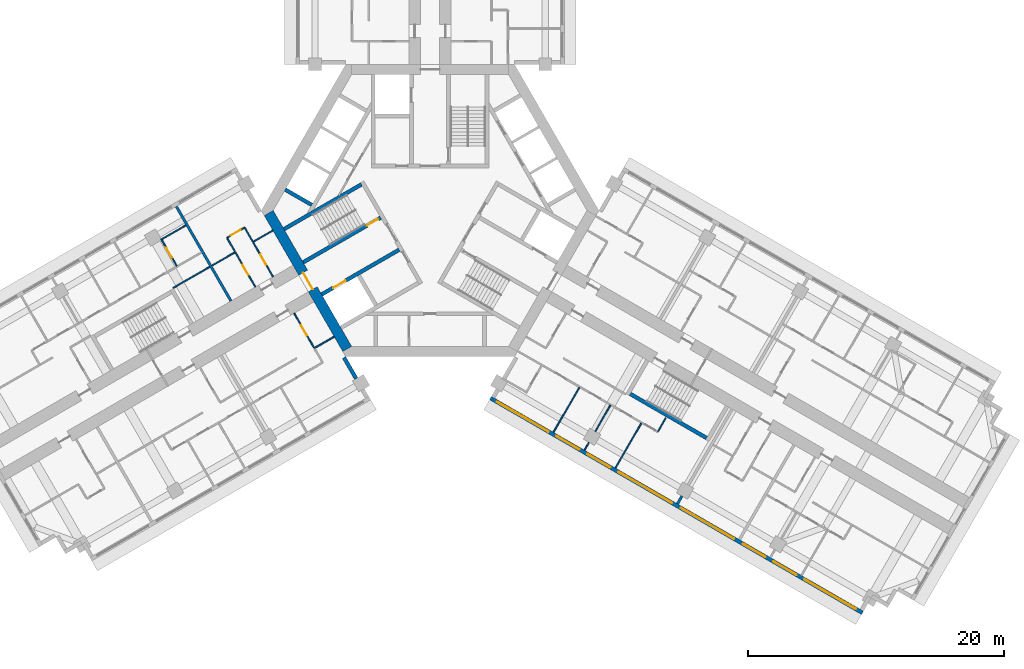
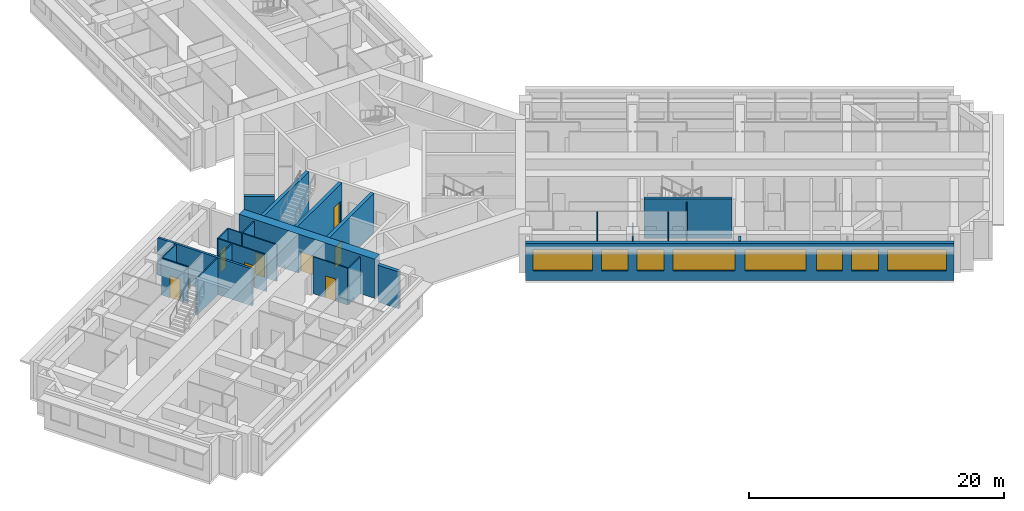
# One storey, part 5 of 14: 27 walls, 8 doors, 8 windows, 16 openings.
"""IFC4 building model written with IfcOpenShell, lengths in metres."""

from ifc_helpers import new_model, si_unit, direction, frame, frame_2d, origin, place, context, subcontext, project, spatial, rectangle, extrude, material, layer, layer_set, type_object, element, fill, save


model = new_model("IFC4")

# Units and contexts
model_context = context("Model", 3, precision=1e-05, world=origin(), true_north=direction((0.0, 1.0)))
body_context = subcontext(model_context, "Body", "Model", "MODEL_VIEW")
ifc_project = project(units=[si_unit("LENGTHUNIT", "METRE"), si_unit("AREAUNIT", "SQUARE_METRE"), si_unit("VOLUMEUNIT", "CUBIC_METRE"), si_unit("PLANEANGLEUNIT", "RADIAN"), si_unit("MASSUNIT", "GRAM", prefix="KILO")], contexts=[model_context])

# Site, building, storey
site_placement = place(None, origin())
site = spatial("IfcSite", under=ifc_project, at=site_placement, CompositionType="ELEMENT")
building_placement = place(site_placement, origin())
building = spatial("IfcBuilding", under=site, at=building_placement, Name="Impinga Residences", CompositionType="ELEMENT")
storey_placement = place(building_placement, frame((0.0, 0.0, 154.75)))
storey = spatial("IfcBuildingStorey", under=building, at=storey_placement, Name="L38", CompositionType="ELEMENT", Elevation=154.75)

# Wall, openings, windows
ifc_material_1 = material(Name="Terracotta rainscreen on blockwork", Category="masonry")
ifc_layer_1 = layer(ifc_material_1, 0.300048828125)
ifc_layer_set_1 = layer_set([ifc_layer_1], Name="EW1 external wall, terracotta rainscreen on blockwork 300")
wall_type_1 = type_object("IfcWallType", Name="EW1 external wall, terracotta rainscreen on blockwork 300", PredefinedType="SOLIDWALL", material=ifc_layer_set_1)
wall_1_placement = place(storey_placement, frame((33.823486328125, -31.479248046875, 0.0), z_axis=(0.0, 0.0, 1.0), x_axis=(-0.866024291668, 0.500001926238, 0.0)))
wall_1 = element("IfcWall", 1, at=wall_1_placement, inside=storey, type_object=wall_type_1, Name="External wall EW1 L38", PredefinedType="SOLIDWALL", context=body_context, shape_type="SweptSolid", body=[
    extrude(rectangle(XDim=33.599853515625, YDim=0.300048828125, at=frame_2d((16.7998046875, 0.0))), origin(), (0.0, 0.0, 1.0), 3.530029296875),
])
opening_1_placement = place(wall_1_placement, frame((0.60009765625, 0.0, 0.89990234375)))
opening_1 = element("IfcOpeningElement", 2, at=opening_1_placement, cuts=wall_1, Name="Opening W10", PredefinedType="OPENING", context=body_context, shape_type="SweptSolid", body=[
    extrude(rectangle(XDim=4.64990234375, YDim=2.050048828125, at=frame_2d((2.324951171875, 1.02490234375))), frame((0.0, 0.159912109375, 0.0), z_axis=(0.0, -1.0, 0.0), x_axis=(1.0, 0.0, 0.0)), (0.0, 0.0, 1.0), 0.320068359375),
])
opening_2_placement = place(wall_1_placement, frame((5.949951171875, 0.0, 0.89990234375)))
opening_2 = element("IfcOpeningElement", 3, at=opening_2_placement, cuts=wall_1, Name="Opening W9", PredefinedType="OPENING", context=body_context, shape_type="SweptSolid", body=[
    extrude(rectangle(XDim=2.10009765625, YDim=2.050048828125, at=frame_2d((1.050048828125, 1.02490234375))), frame((0.0, 0.159912109375, 0.0), z_axis=(0.0, -1.0, 0.0), x_axis=(1.0, 0.0, 0.0)), (0.0, 0.0, 1.0), 0.320068359375),
])
opening_3_placement = place(wall_1_placement, frame((8.75, 0.0, 0.89990234375)))
opening_3 = element("IfcOpeningElement", 4, at=opening_3_placement, cuts=wall_1, Name="Opening W14", PredefinedType="OPENING", context=body_context, shape_type="SweptSolid", body=[
    extrude(rectangle(XDim=2.050048828125, YDim=2.050048828125, at=frame_2d((1.02490234375, 1.02490234375))), frame((0.0, 0.159912109375, 0.0), z_axis=(0.0, -1.0, 0.0), x_axis=(1.0, 0.0, 0.0)), (0.0, 0.0, 1.0), 0.320068359375),
])
opening_4_placement = place(wall_1_placement, frame((11.60009765625, 0.0, 0.89990234375)))
opening_4 = element("IfcOpeningElement", 5, at=opening_4_placement, cuts=wall_1, Name="Opening W8", PredefinedType="OPENING", context=body_context, shape_type="SweptSolid", body=[
    extrude(rectangle(XDim=4.800048828125, YDim=2.050048828125, at=frame_2d((2.39990234375, 1.02490234375))), frame((0.0, 0.159912109375, 0.0), z_axis=(0.0, -1.0, 0.0), x_axis=(1.0, 0.0, 0.0)), (0.0, 0.0, 1.0), 0.320068359375),
])
opening_5_placement = place(wall_1_placement, frame((17.199951171875, 0.0, 0.89990234375)))
opening_5 = element("IfcOpeningElement", 6, at=opening_5_placement, cuts=wall_1, Name="Opening W6", PredefinedType="OPENING", context=body_context, shape_type="SweptSolid", body=[
    extrude(rectangle(XDim=4.85009765625, YDim=2.050048828125, at=frame_2d((2.425048828125, 1.02490234375))), frame((0.0, 0.159912109375, 0.0), z_axis=(0.0, -1.0, 0.0), x_axis=(1.0, 0.0, 0.0)), (0.0, 0.0, 1.0), 0.320068359375),
])
opening_6_placement = place(wall_1_placement, frame((22.75, 0.0, 0.89990234375)))
opening_6 = element("IfcOpeningElement", 7, at=opening_6_placement, cuts=wall_1, Name="Opening W9", PredefinedType="OPENING", context=body_context, shape_type="SweptSolid", body=[
    extrude(rectangle(XDim=2.10009765625, YDim=2.050048828125, at=frame_2d((1.050048828125, 1.02490234375))), frame((0.0, 0.159912109375, 0.0), z_axis=(0.0, -1.0, 0.0), x_axis=(1.0, 0.0, 0.0)), (0.0, 0.0, 1.0), 0.320068359375),
])
opening_7_placement = place(wall_1_placement, frame((25.550048828125, 0.0, 0.89990234375)))
opening_7 = element("IfcOpeningElement", 8, at=opening_7_placement, cuts=wall_1, Name="Opening W9", PredefinedType="OPENING", context=body_context, shape_type="SweptSolid", body=[
    extrude(rectangle(XDim=2.10009765625, YDim=2.050048828125, at=frame_2d((1.050048828125, 1.02490234375))), frame((0.0, 0.159912109375, 0.0), z_axis=(0.0, -1.0, 0.0), x_axis=(1.0, 0.0, 0.0)), (0.0, 0.0, 1.0), 0.320068359375),
])
opening_8_placement = place(wall_1_placement, frame((28.35009765625, 0.0, 0.89990234375)))
opening_8 = element("IfcOpeningElement", 9, at=opening_8_placement, cuts=wall_1, Name="Opening W10", PredefinedType="OPENING", context=body_context, shape_type="SweptSolid", body=[
    extrude(rectangle(XDim=4.64990234375, YDim=2.050048828125, at=frame_2d((2.324951171875, 1.02490234375))), frame((0.0, 0.159912109375, 0.0), z_axis=(0.0, -1.0, 0.0), x_axis=(1.0, 0.0, 0.0)), (0.0, 0.0, 1.0), 0.320068359375),
])
ifc_material_2 = material(Name="Aluminium window, clear double glazing", Category="aluminium")
window_type_1 = type_object("IfcWindowType", Name="W10 ribbon window 4650x2050", PartitioningType="SINGLE_PANEL", PredefinedType="WINDOW", material=ifc_material_2)
window_1_placement = place(opening_1_placement, origin())
window_1 = element("IfcWindow", 10, at=window_1_placement, inside=storey, type_object=window_type_1, Name="Window L38", OverallHeight=2.050048828125, OverallWidth=4.64990234375, PartitioningType="SINGLE_PANEL", PredefinedType="WINDOW", context=body_context, shape_type="SweptSolid", body=[
    extrude(rectangle(XDim=4.64990234375, YDim=2.050048828125, at=frame_2d((2.324951171875, 1.02490234375))), frame((0.0, 0.030029296875, 0.0), z_axis=(0.0, -1.0, 0.0), x_axis=(1.0, 0.0, 0.0)), (0.0, 0.0, 1.0), 0.06005859375),
])
fill(opening_1, window_1)
window_2_placement = place(opening_8_placement, origin())
window_2 = element("IfcWindow", 11, at=window_2_placement, inside=storey, type_object=window_type_1, Name="Window L38", OverallHeight=2.050048828125, OverallWidth=4.64990234375, PartitioningType="SINGLE_PANEL", PredefinedType="WINDOW", context=body_context, shape_type="SweptSolid", body=[
    extrude(rectangle(XDim=4.64990234375, YDim=2.050048828125, at=frame_2d((2.324951171875, 1.02490234375))), frame((0.0, 0.030029296875, 0.0), z_axis=(0.0, -1.0, 0.0), x_axis=(1.0, 0.0, 0.0)), (0.0, 0.0, 1.0), 0.06005859375),
])
fill(opening_8, window_2)
window_type_2 = type_object("IfcWindowType", Name="W14 ribbon window 2050x2050", PartitioningType="SINGLE_PANEL", PredefinedType="WINDOW", material=ifc_material_2)
window_3_placement = place(opening_3_placement, origin())
window_3 = element("IfcWindow", 12, at=window_3_placement, inside=storey, type_object=window_type_2, Name="Window L38", OverallHeight=2.050048828125, OverallWidth=2.050048828125, PartitioningType="SINGLE_PANEL", PredefinedType="WINDOW", context=body_context, shape_type="SweptSolid", body=[
    extrude(rectangle(XDim=2.050048828125, YDim=2.050048828125, at=frame_2d((1.02490234375, 1.02490234375))), frame((0.0, 0.030029296875, 0.0), z_axis=(0.0, -1.0, 0.0), x_axis=(1.0, 0.0, 0.0)), (0.0, 0.0, 1.0), 0.06005859375),
])
fill(opening_3, window_3)
window_type_3 = type_object("IfcWindowType", Name="W6 ribbon window 4850x2050", PartitioningType="SINGLE_PANEL", PredefinedType="WINDOW", material=ifc_material_2)
window_4_placement = place(opening_5_placement, origin())
window_4 = element("IfcWindow", 13, at=window_4_placement, inside=storey, type_object=window_type_3, Name="Window L38", OverallHeight=2.050048828125, OverallWidth=4.85009765625, PartitioningType="SINGLE_PANEL", PredefinedType="WINDOW", context=body_context, shape_type="SweptSolid", body=[
    extrude(rectangle(XDim=4.85009765625, YDim=2.050048828125, at=frame_2d((2.425048828125, 1.02490234375))), frame((0.0, 0.030029296875, 0.0), z_axis=(0.0, -1.0, 0.0), x_axis=(1.0, 0.0, 0.0)), (0.0, 0.0, 1.0), 0.06005859375),
])
fill(opening_5, window_4)
window_type_4 = type_object("IfcWindowType", Name="W8 ribbon window 4800x2050", PartitioningType="SINGLE_PANEL", PredefinedType="WINDOW", material=ifc_material_2)
window_5_placement = place(opening_4_placement, origin())
window_5 = element("IfcWindow", 14, at=window_5_placement, inside=storey, type_object=window_type_4, Name="Window L38", OverallHeight=2.050048828125, OverallWidth=4.800048828125, PartitioningType="SINGLE_PANEL", PredefinedType="WINDOW", context=body_context, shape_type="SweptSolid", body=[
    extrude(rectangle(XDim=4.800048828125, YDim=2.050048828125, at=frame_2d((2.39990234375, 1.02490234375))), frame((0.0, 0.030029296875, 0.0), z_axis=(0.0, -1.0, 0.0), x_axis=(1.0, 0.0, 0.0)), (0.0, 0.0, 1.0), 0.06005859375),
])
fill(opening_4, window_5)
window_type_5 = type_object("IfcWindowType", Name="W9 ribbon window 2100x2050", PartitioningType="SINGLE_PANEL", PredefinedType="WINDOW", material=ifc_material_2)
window_6_placement = place(opening_2_placement, origin())
window_6 = element("IfcWindow", 15, at=window_6_placement, inside=storey, type_object=window_type_5, Name="Window L38", OverallHeight=2.050048828125, OverallWidth=2.10009765625, PartitioningType="SINGLE_PANEL", PredefinedType="WINDOW", context=body_context, shape_type="SweptSolid", body=[
    extrude(rectangle(XDim=2.10009765625, YDim=2.050048828125, at=frame_2d((1.050048828125, 1.02490234375))), frame((0.0, 0.030029296875, 0.0), z_axis=(0.0, -1.0, 0.0), x_axis=(1.0, 0.0, 0.0)), (0.0, 0.0, 1.0), 0.06005859375),
])
fill(opening_2, window_6)
window_7_placement = place(opening_6_placement, origin())
window_7 = element("IfcWindow", 16, at=window_7_placement, inside=storey, type_object=window_type_5, Name="Window L38", OverallHeight=2.050048828125, OverallWidth=2.10009765625, PartitioningType="SINGLE_PANEL", PredefinedType="WINDOW", context=body_context, shape_type="SweptSolid", body=[
    extrude(rectangle(XDim=2.10009765625, YDim=2.050048828125, at=frame_2d((1.050048828125, 1.02490234375))), frame((0.0, 0.030029296875, 0.0), z_axis=(0.0, -1.0, 0.0), x_axis=(1.0, 0.0, 0.0)), (0.0, 0.0, 1.0), 0.06005859375),
])
fill(opening_6, window_7)
window_8_placement = place(opening_7_placement, origin())
window_8 = element("IfcWindow", 17, at=window_8_placement, inside=storey, type_object=window_type_5, Name="Window L38", OverallHeight=2.050048828125, OverallWidth=2.10009765625, PartitioningType="SINGLE_PANEL", PredefinedType="WINDOW", context=body_context, shape_type="SweptSolid", body=[
    extrude(rectangle(XDim=2.10009765625, YDim=2.050048828125, at=frame_2d((1.050048828125, 1.02490234375))), frame((0.0, 0.030029296875, 0.0), z_axis=(0.0, -1.0, 0.0), x_axis=(1.0, 0.0, 0.0)), (0.0, 0.0, 1.0), 0.06005859375),
])
fill(opening_7, window_8)

# Walls
wall_2_placement = place(storey_placement, frame((-6.72998046875, -11.506591796875, 0.0), z_axis=(0.0, 0.0, 1.0), x_axis=(0.500063520245, -0.865988727248, 0.0)))
element("IfcWall", 18, at=wall_2_placement, inside=storey, type_object=wall_type_1, Name="External wall EW1 L38", PredefinedType="SOLIDWALL", context=body_context, shape_type="SweptSolid", body=[
    extrude(rectangle(XDim=1.900146484375, YDim=0.300048828125, at=frame_2d((0.9501953125, 0.0))), origin(), (0.0, 0.0, 1.0), 3.530029296875),
])
ifc_material_3 = material(Name="Gypsum board on steel studs", Category="steel")
ifc_layer_2 = layer(ifc_material_3, 0.10009765625)
ifc_layer_set_2 = layer_set([ifc_layer_2], Name="Gypsum board on steel studs")
wall_type_2 = type_object("IfcWallType", Name="IP1 partition 100", PredefinedType="PARTITIONING", material=ifc_layer_set_2)
wall_3_placement = place(storey_placement, frame((-7.5, -9.872802734375, 0.0), z_axis=(0.0, 0.0, 1.0), x_axis=(-0.866047807691, -0.499961193289, 0.0)))
element("IfcWall", 19, at=wall_3_placement, inside=storey, type_object=wall_type_2, Name="Partition L38-WA1:DIV0", PredefinedType="PARTITIONING", context=body_context, shape_type="SweptSolid", body=[
    extrude(rectangle(XDim=1.800048828125, YDim=0.10009765625, at=frame_2d((0.89990234375, 0.0))), origin(), (0.0, 0.0, 1.0), 3.530029296875),
])

# Wall, opening, door
wall_4_placement = place(storey_placement, frame((-10.6337890625, -8.044677734375, 0.0), z_axis=(0.0, 0.0, 1.0), x_axis=(0.49999285859, -0.86602952684, 0.0)))
wall_4 = element("IfcWall", 20, at=wall_4_placement, inside=storey, type_object=wall_type_2, Name="Partition L38-WA1:IB1", PredefinedType="PARTITIONING", context=body_context, shape_type="SweptSolid", body=[
    extrude(rectangle(XDim=3.10009765625, YDim=0.10009765625, at=frame_2d((1.550048828125, 0.0))), origin(), (0.0, 0.0, 1.0), 3.530029296875),
])
opening_9_placement = place(wall_4_placement, frame((1.10009765625, 0.0, 0.0)))
opening_9 = element("IfcOpeningElement", 21, at=opening_9_placement, cuts=wall_4, Name="Opening D2", PredefinedType="OPENING", context=body_context, shape_type="SweptSolid", body=[
    extrude(rectangle(XDim=0.89990234375, YDim=2.10009765625, at=frame_2d((0.449951171875, 1.050048828125))), frame((0.0, 0.06005859375, 0.0), z_axis=(0.0, -1.0, 0.0), x_axis=(1.0, 0.0, 0.0)), (0.0, 0.0, 1.0), 0.1201171875),
])
ifc_material_4 = material(Name="Timber door set", Category="wood")
door_type_1 = type_object("IfcDoorType", Name="D2 internal door 900x2100", OperationType="SINGLE_SWING_LEFT", PredefinedType="DOOR", material=ifc_material_4)
door_1_placement = place(opening_9_placement, origin())
door_1 = element("IfcDoor", 22, at=door_1_placement, inside=storey, type_object=door_type_1, Name="Apartment L38-WA1 bathroom door", OperationType="SINGLE_SWING_LEFT", OverallHeight=2.10009765625, OverallWidth=0.89990234375, PredefinedType="DOOR", context=body_context, shape_type="SweptSolid", body=[
    extrude(rectangle(XDim=0.89990234375, YDim=2.10009765625, at=frame_2d((0.449951171875, 1.050048828125))), frame((0.0, 0.02490234375, 0.0), z_axis=(0.0, -1.0, 0.0), x_axis=(1.0, 0.0, 0.0)), (0.0, 0.0, 1.0), 0.050048828125),
])
fill(opening_9, door_1)

# Walls
wall_5_placement = place(storey_placement, frame((-12.300048828125, -1.558837890625, 0.0), z_axis=(0.0, 0.0, 1.0), x_axis=(-0.866047807691, -0.499961193289, 0.0)))
element("IfcWall", 23, at=wall_5_placement, inside=storey, type_object=wall_type_2, Name="Partition L38-WF1:DIV0", PredefinedType="PARTITIONING", context=body_context, shape_type="SweptSolid", body=[
    extrude(rectangle(XDim=1.800048828125, YDim=0.10009765625, at=frame_2d((0.89990234375, 0.0))), origin(), (0.0, 0.0, 1.0), 3.530029296875),
])
wall_6_placement = place(storey_placement, frame((-15.244384765625, -3.2587890625, 0.0), z_axis=(0.0, 0.0, 1.0), x_axis=(-0.866038466041, -0.499977374825, 0.0)))
element("IfcWall", 24, at=wall_6_placement, inside=storey, type_object=wall_type_2, Name="Partition L38-WF1:DIV1", PredefinedType="PARTITIONING", context=body_context, shape_type="SweptSolid", body=[
    extrude(rectangle(XDim=2.10009765625, YDim=0.10009765625, at=frame_2d((1.050048828125, 0.0))), origin(), (0.0, 0.0, 1.0), 3.530029296875),
])

# Wall, opening, door
wall_7_placement = place(storey_placement, frame((-14.5087890625, -1.3330078125, 0.0), z_axis=(0.0, 0.0, 1.0), x_axis=(-0.866028054938, -0.499995408039, 0.0)))
wall_7 = element("IfcWall", 25, at=wall_7_placement, inside=storey, type_object=wall_type_2, Name="Partition L38-WF1:STRIP", PredefinedType="PARTITIONING", context=body_context, shape_type="SweptSolid", body=[
    extrude(rectangle(XDim=1.60009765625, YDim=0.10009765625, at=frame_2d((0.800048828125, 0.0))), origin(), (0.0, 0.0, 1.0), 3.530029296875),
])
opening_10_placement = place(wall_7_placement, frame((0.35009765625, 0.0, 0.0)))
opening_10 = element("IfcOpeningElement", 26, at=opening_10_placement, cuts=wall_7, Name="Opening D2", PredefinedType="OPENING", context=body_context, shape_type="SweptSolid", body=[
    extrude(rectangle(XDim=0.89990234375, YDim=2.10009765625, at=frame_2d((0.449951171875, 1.050048828125))), frame((0.0, 0.06005859375, 0.0), z_axis=(0.0, -1.0, 0.0), x_axis=(1.0, 0.0, 0.0)), (0.0, 0.0, 1.0), 0.1201171875),
])
door_2_placement = place(opening_10_placement, origin())
door_2 = element("IfcDoor", 27, at=door_2_placement, inside=storey, type_object=door_type_1, Name="Apartment L38-WF1 room door", OperationType="SINGLE_SWING_LEFT", OverallHeight=2.10009765625, OverallWidth=0.89990234375, PredefinedType="DOOR", context=body_context, shape_type="SweptSolid", body=[
    extrude(rectangle(XDim=0.89990234375, YDim=2.10009765625, at=frame_2d((0.449951171875, 1.050048828125))), frame((0.0, 0.02490234375, 0.0), z_axis=(0.0, -1.0, 0.0), x_axis=(1.0, 0.0, 0.0)), (0.0, 0.0, 1.0), 0.050048828125),
])
fill(opening_10, door_2)

# Walls
wall_8_placement = place(storey_placement, frame((-13.8837890625, -2.41552734375, 0.0), z_axis=(0.0, 0.0, 1.0), x_axis=(-0.500033551112, 0.866006032174, 0.0)))
element("IfcWall", 28, at=wall_8_placement, inside=storey, type_object=wall_type_2, Name="Partition L38-WF1:SE0", PredefinedType="PARTITIONING", context=body_context, shape_type="SweptSolid", body=[
    extrude(rectangle(XDim=1.2001953125, YDim=0.10009765625, at=frame_2d((0.60009765625, 0.0))), origin(), (0.0, 0.0, 1.0), 3.530029296875),
])
wall_9_placement = place(storey_placement, frame((-15.26953125, -3.215576171875, 0.0), z_axis=(0.0, 0.0, 1.0), x_axis=(-0.499880961361, 0.866094119867, 0.0)))
element("IfcWall", 29, at=wall_9_placement, inside=storey, type_object=wall_type_2, Name="Partition L38-WF1:SE1", PredefinedType="PARTITIONING", context=body_context, shape_type="SweptSolid", body=[
    extrude(rectangle(XDim=1.199951171875, YDim=0.10009765625, at=frame_2d((0.60009765625, 0.0))), origin(), (0.0, 0.0, 1.0), 3.530029296875),
])

# Wall, opening, door
wall_10_placement = place(storey_placement, frame((-12.283935546875, -5.186767578125, 0.0), z_axis=(0.0, 0.0, 1.0), x_axis=(-0.499967891604, 0.866043940782, 0.0)))
wall_10 = element("IfcWall", 30, at=wall_10_placement, inside=storey, type_object=wall_type_2, Name="Partition L38-WF1:IB1", PredefinedType="PARTITIONING", context=body_context, shape_type="SweptSolid", body=[
    extrude(rectangle(XDim=3.099853515625, YDim=0.10009765625, at=frame_2d((1.5498046875, 0.0))), origin(), (0.0, 0.0, 1.0), 3.530029296875),
])
opening_11_placement = place(wall_10_placement, frame((1.10009765625, 0.0, 0.0)))
opening_11 = element("IfcOpeningElement", 31, at=opening_11_placement, cuts=wall_10, Name="Opening D2", PredefinedType="OPENING", context=body_context, shape_type="SweptSolid", body=[
    extrude(rectangle(XDim=0.89990234375, YDim=2.10009765625, at=frame_2d((0.449951171875, 1.050048828125))), frame((0.0, 0.06005859375, 0.0), z_axis=(0.0, -1.0, 0.0), x_axis=(1.0, 0.0, 0.0)), (0.0, 0.0, 1.0), 0.1201171875),
])
door_3_placement = place(opening_11_placement, origin())
door_3 = element("IfcDoor", 32, at=door_3_placement, inside=storey, type_object=door_type_1, Name="Apartment L38-WF1 bathroom door", OperationType="SINGLE_SWING_LEFT", OverallHeight=2.10009765625, OverallWidth=0.89990234375, PredefinedType="DOOR", context=body_context, shape_type="SweptSolid", body=[
    extrude(rectangle(XDim=0.89990234375, YDim=2.10009765625, at=frame_2d((0.449951171875, 1.050048828125))), frame((0.0, 0.02490234375, 0.0), z_axis=(0.0, -1.0, 0.0), x_axis=(1.0, 0.0, 0.0)), (0.0, 0.0, 1.0), 0.050048828125),
])
fill(opening_11, door_3)

wall_11_placement = place(storey_placement, frame((-13.66943359375, -5.98681640625, 0.0), z_axis=(0.0, 0.0, 1.0), x_axis=(-0.500026960575, 0.86600983753, 0.0)))
wall_11 = element("IfcWall", 33, at=wall_11_placement, inside=storey, type_object=wall_type_2, Name="Partition L38-WF1:IB2", PredefinedType="PARTITIONING", context=body_context, shape_type="SweptSolid", body=[
    extrude(rectangle(XDim=3.099853515625, YDim=0.10009765625, at=frame_2d((1.5498046875, 0.0))), origin(), (0.0, 0.0, 1.0), 3.530029296875),
])
opening_12_placement = place(wall_11_placement, frame((1.10009765625, 0.0, 0.0)))
opening_12 = element("IfcOpeningElement", 34, at=opening_12_placement, cuts=wall_11, Name="Opening D2", PredefinedType="OPENING", context=body_context, shape_type="SweptSolid", body=[
    extrude(rectangle(XDim=0.89990234375, YDim=2.10009765625, at=frame_2d((0.449951171875, 1.050048828125))), frame((0.0, 0.06005859375, 0.0), z_axis=(0.0, -1.0, 0.0), x_axis=(1.0, 0.0, 0.0)), (0.0, 0.0, 1.0), 0.1201171875),
])
door_4_placement = place(opening_12_placement, origin())
door_4 = element("IfcDoor", 35, at=door_4_placement, inside=storey, type_object=door_type_1, Name="Apartment L38-WF1 WC door", OperationType="SINGLE_SWING_LEFT", OverallHeight=2.10009765625, OverallWidth=0.89990234375, PredefinedType="DOOR", context=body_context, shape_type="SweptSolid", body=[
    extrude(rectangle(XDim=0.89990234375, YDim=2.10009765625, at=frame_2d((0.449951171875, 1.050048828125))), frame((0.0, 0.02490234375, 0.0), z_axis=(0.0, -1.0, 0.0), x_axis=(1.0, 0.0, 0.0)), (0.0, 0.0, 1.0), 0.050048828125),
])
fill(opening_12, door_4)

# Wall
wall_12_placement = place(storey_placement, frame((-17.236328125, -4.408935546875, 0.0), z_axis=(0.0, 0.0, 1.0), x_axis=(-0.866040211805, -0.499974350878, 0.0)))
element("IfcWall", 36, at=wall_12_placement, inside=storey, type_object=wall_type_2, Name="Partition L38-WF2:DIV0", PredefinedType="PARTITIONING", context=body_context, shape_type="SweptSolid", body=[
    extrude(rectangle(XDim=3.300048828125, YDim=0.10009765625, at=frame_2d((1.64990234375, 0.0))), origin(), (0.0, 0.0, 1.0), 3.530029296875),
])

# Wall, opening, door
wall_13_placement = place(storey_placement, frame((-19.816650390625, -4.339599609375, 0.0), z_axis=(0.0, 0.0, 1.0), x_axis=(-0.499987006516, 0.866032905446, 0.0)))
wall_13 = element("IfcWall", 37, at=wall_13_placement, inside=storey, type_object=wall_type_2, Name="Partition L38-WF2:EN1", PredefinedType="PARTITIONING", context=body_context, shape_type="SweptSolid", body=[
    extrude(rectangle(XDim=2.44970703125, YDim=0.10009765625, at=frame_2d((1.224853515625, 0.0))), origin(), (0.0, 0.0, 1.0), 3.530029296875),
])
opening_13_placement = place(wall_13_placement, frame((0.75, 0.0, 0.0)))
opening_13 = element("IfcOpeningElement", 38, at=opening_13_placement, cuts=wall_13, Name="Opening D2", PredefinedType="OPENING", context=body_context, shape_type="SweptSolid", body=[
    extrude(rectangle(XDim=0.89990234375, YDim=2.10009765625, at=frame_2d((0.449951171875, 1.050048828125))), frame((0.0, 0.06005859375, 0.0), z_axis=(0.0, -1.0, 0.0), x_axis=(1.0, 0.0, 0.0)), (0.0, 0.0, 1.0), 0.1201171875),
])
door_5_placement = place(opening_13_placement, origin())
door_5 = element("IfcDoor", 39, at=door_5_placement, inside=storey, type_object=door_type_1, Name="Apartment L38-WF2 en-suite door", OperationType="SINGLE_SWING_LEFT", OverallHeight=2.10009765625, OverallWidth=0.89990234375, PredefinedType="DOOR", context=body_context, shape_type="SweptSolid", body=[
    extrude(rectangle(XDim=0.89990234375, YDim=2.10009765625, at=frame_2d((0.449951171875, 1.050048828125))), frame((0.0, 0.02490234375, 0.0), z_axis=(0.0, -1.0, 0.0), x_axis=(1.0, 0.0, 0.0)), (0.0, 0.0, 1.0), 0.050048828125),
])
fill(opening_13, door_5)

# Walls
wall_14_placement = place(storey_placement, frame((-19.111328125, -1.1611328125, 0.0), z_axis=(0.0, 0.0, 1.0), x_axis=(-0.865998386012, -0.500046793234, 0.0)))
element("IfcWall", 40, at=wall_14_placement, inside=storey, type_object=wall_type_2, Name="Partition L38-WF2:EN2", PredefinedType="PARTITIONING", context=body_context, shape_type="SweptSolid", body=[
    extrude(rectangle(XDim=2.150146484375, YDim=0.10009765625, at=frame_2d((1.0751953125, 0.0))), origin(), (0.0, 0.0, 1.0), 3.530029296875),
])
wall_15_placement = place(storey_placement, frame((18.43017578125, -16.240966796875, 0.0), z_axis=(0.0, 0.0, 1.0), x_axis=(-0.499880961361, -0.866094119867, 0.0)))
element("IfcWall", 41, at=wall_15_placement, inside=storey, type_object=wall_type_2, Name="Partition L38-EF1:SE1", PredefinedType="PARTITIONING", context=body_context, shape_type="SweptSolid", body=[
    extrude(rectangle(XDim=1.199951171875, YDim=0.10009765625, at=frame_2d((0.60009765625, 0.0))), origin(), (0.0, 0.0, 1.0), 3.530029296875),
])
wall_16_placement = place(storey_placement, frame((11.6748046875, -13.841796875, 0.0), z_axis=(0.0, 0.0, 1.0), x_axis=(-0.500035537042, -0.866004885491, 0.0)))
element("IfcWall", 42, at=wall_16_placement, inside=storey, type_object=wall_type_2, Name="Partition L38-EF1:OB1", PredefinedType="PARTITIONING", context=body_context, shape_type="SweptSolid", body=[
    extrude(rectangle(XDim=4.050048828125, YDim=0.10009765625, at=frame_2d((2.02490234375, 0.0))), origin(), (0.0, 0.0, 1.0), 3.530029296875),
])
wall_17_placement = place(storey_placement, frame((14.099609375, -15.241943359375, 0.0), z_axis=(0.0, 0.0, 1.0), x_axis=(-0.500016218704, -0.866016039709, 0.0)))
element("IfcWall", 43, at=wall_17_placement, inside=storey, type_object=wall_type_2, Name="Partition L38-EF1:OB2", PredefinedType="PARTITIONING", context=body_context, shape_type="SweptSolid", body=[
    extrude(rectangle(XDim=2.35009765625, YDim=0.10009765625, at=frame_2d((1.175048828125, 0.0))), origin(), (0.0, 0.0, 1.0), 2.47998046875),
])
wall_18_placement = place(storey_placement, frame((12.424560546875, -18.14306640625, 0.0), z_axis=(0.0, 0.0, 1.0), x_axis=(-0.499853302173, -0.866110083249, 0.0)))
element("IfcWall", 44, at=wall_18_placement, inside=storey, type_object=wall_type_2, Name="Partition L38-EF1:OB2b", PredefinedType="PARTITIONING", context=body_context, shape_type="SweptSolid", body=[
    extrude(rectangle(XDim=0.699951171875, YDim=0.10009765625, at=frame_2d((0.35009765625, 0.0))), origin(), (0.0, 0.0, 1.0), 3.530029296875),
])
wall_19_placement = place(storey_placement, frame((16.5244140625, -16.641845703125, 0.0), z_axis=(0.0, 0.0, 1.0), x_axis=(-0.499990325971, -0.866030989016, 0.0)))
element("IfcWall", 45, at=wall_19_placement, inside=storey, type_object=wall_type_2, Name="Partition L38-EF1:OB3", PredefinedType="PARTITIONING", context=body_context, shape_type="SweptSolid", body=[
    extrude(rectangle(XDim=4.0498046875, YDim=0.10009765625, at=frame_2d((2.02490234375, 0.0))), origin(), (0.0, 0.0, 1.0), 3.530029296875),
])
ifc_material_5 = material(Name="Concrete blockwork", Category="masonry")
ifc_layer_3 = layer(ifc_material_5, 0.199951171875)
ifc_layer_set_3 = layer_set([ifc_layer_3], Name="PW1 party wall between apartments 200")
wall_type_3 = type_object("IfcWallType", Name="PW1 party wall between apartments 200", PredefinedType="SOLIDWALL", material=ifc_layer_set_3)
wall_20_placement = place(storey_placement, frame((-15.57470703125, -7.0869140625, 0.0), z_axis=(0.0, 0.0, 1.0), x_axis=(-0.500011643316, 0.866018681408, 0.0)))
element("IfcWall", 46, at=wall_20_placement, inside=storey, type_object=wall_type_3, Name="Party wall between apartments L38-WF1:PARTY", PredefinedType="SOLIDWALL", context=body_context, shape_type="SweptSolid", body=[
    extrude(rectangle(XDim=8.550048828125, YDim=0.199951171875, at=frame_2d((4.27490234375, 0.0))), origin(), (0.0, 0.0, 1.0), 3.530029296875),
])
wall_21_placement = place(storey_placement, frame((19.69921875, -22.343017578125, 0.0), z_axis=(0.0, 0.0, 1.0), x_axis=(-0.500114896893, -0.865959057869, 0.0)))
element("IfcWall", 47, at=wall_21_placement, inside=storey, type_object=wall_type_3, Name="Party wall between apartments L38-EF1:PARTYb", PredefinedType="SOLIDWALL", context=body_context, shape_type="SweptSolid", body=[
    extrude(rectangle(XDim=0.699951171875, YDim=0.199951171875, at=frame_2d((0.35009765625, 0.0))), origin(), (0.0, 0.0, 1.0), 3.530029296875),
])
ifc_material_6 = material(Name="Concrete C60/75", Category="concrete")
ifc_layer_4 = layer(ifc_material_6, 0.300048828125)
ifc_layer_set_4 = layer_set([ifc_layer_4], Name="Concrete C60/75")
wall_type_4 = type_object("IfcWallType", Name="SE1 wing stair enclosure wall 300", PredefinedType="SOLIDWALL", material=ifc_layer_set_4)
wall_22_placement = place(storey_placement, frame((15.654052734375, -14.349365234375, 0.0), z_axis=(0.0, 0.0, 1.0), x_axis=(0.866013532718, -0.500020560727, 0.0)))
element("IfcWall", 48, at=wall_22_placement, inside=storey, type_object=wall_type_4, Name="Stair enclosure wall SE1 E OUT L38", PredefinedType="SOLIDWALL", context=body_context, shape_type="SweptSolid", body=[
    extrude(rectangle(XDim=6.900146484375, YDim=0.300048828125, at=frame_2d((3.4501953125, 0.0))), origin(), (0.0, 0.0, 1.0), 3.75),
])

# Wall, opening, door
ifc_layer_5 = layer(ifc_material_6, 0.800048828125)
ifc_layer_set_5 = layer_set([ifc_layer_5], Name="Concrete C60/75")
wall_type_5 = type_object("IfcWallType", Name="SW2 core wall 800", PredefinedType="SHEAR", material=ifc_layer_set_5)
wall_23_placement = place(storey_placement, frame((-6.484619140625, -10.83154296875, 0.0), z_axis=(0.0, 0.0, 1.0), x_axis=(-0.499986991068, 0.866032914365, 0.0)))
wall_23 = element("IfcWall", 49, at=wall_23_placement, inside=storey, type_object=wall_type_5, Name="Core wall SW2 W:FACE L38", PredefinedType="SHEAR", context=body_context, shape_type="SweptSolid", body=[
    extrude(rectangle(XDim=12.276123046875, YDim=0.800048828125, at=frame_2d((6.13818359375, 0.0))), origin(), (0.0, 0.0, 1.0), 3.75),
])
opening_14_placement = place(wall_23_placement, frame((5.38818359375, 0.0, 0.0)))
opening_14 = element("IfcOpeningElement", 50, at=opening_14_placement, cuts=wall_23, Name="Opening D4", PredefinedType="OPENING", context=body_context, shape_type="SweptSolid", body=[
    extrude(rectangle(XDim=1.5, YDim=2.10009765625, at=frame_2d((0.75, 1.050048828125))), frame((0.0, 0.409912109375, 0.0), z_axis=(0.0, -1.0, 0.0), x_axis=(1.0, 0.0, 0.0)), (0.0, 0.0, 1.0), 0.820068359375),
])
door_type_2 = type_object("IfcDoorType", Name="D4 lobby door pair 1500x2100", OperationType="DOUBLE_DOOR_DOUBLE_SWING", PredefinedType="DOOR", material=ifc_material_4)
door_6_placement = place(opening_14_placement, origin())
door_6 = element("IfcDoor", 51, at=door_6_placement, inside=storey, type_object=door_type_2, Name="Lobby door W", OperationType="DOUBLE_DOOR_DOUBLE_SWING", OverallHeight=2.10009765625, OverallWidth=1.5, PredefinedType="DOOR", context=body_context, shape_type="SweptSolid", body=[
    extrude(rectangle(XDim=1.5, YDim=2.10009765625, at=frame_2d((0.75, 1.050048828125))), frame((0.0, 0.02490234375, 0.0), z_axis=(0.0, -1.0, 0.0), x_axis=(1.0, 0.0, 0.0)), (0.0, 0.0, 1.0), 0.050048828125),
])
fill(opening_14, door_6)

ifc_material_7 = material(Name="Concrete C70/85", Category="concrete")
ifc_layer_6 = layer(ifc_material_7, 0.300048828125)
ifc_layer_set_6 = layer_set([ifc_layer_6], Name="Concrete C70/85")
wall_type_6 = type_object("IfcWallType", Name="SW5 core inner wall, stairs, shafts and lobbies 300", PredefinedType="SHEAR", material=ifc_layer_set_6)
wall_24_placement = place(storey_placement, frame((-3.86865234375, -0.559326171875, 0.0), z_axis=(0.0, 0.0, 1.0), x_axis=(-0.866026480128, -0.499998135713, 0.0)))
wall_24 = element("IfcWall", 52, at=wall_24_placement, inside=storey, type_object=wall_type_6, Name="Core wall SW5 W:ST-IN L38", PredefinedType="SHEAR", context=body_context, shape_type="SweptSolid", body=[
    extrude(rectangle(XDim=7.00146484375, YDim=0.300048828125, at=frame_2d((3.500732421875, 0.0))), origin(), (0.0, 0.0, 1.0), 3.75),
])
opening_15_placement = place(wall_24_placement, frame((0.25, 0.0, 0.0)))
opening_15 = element("IfcOpeningElement", 53, at=opening_15_placement, cuts=wall_24, Name="Opening D5", PredefinedType="OPENING", context=body_context, shape_type="SweptSolid", body=[
    extrude(rectangle(XDim=1.0, YDim=2.10009765625, at=frame_2d((0.5, 1.050048828125))), frame((0.0, 0.159912109375, 0.0), z_axis=(0.0, -1.0, 0.0), x_axis=(1.0, 0.0, 0.0)), (0.0, 0.0, 1.0), 0.320068359375),
])
door_type_3 = type_object("IfcDoorType", Name="D5 stair door 1000x2100", OperationType="SINGLE_SWING_LEFT", PredefinedType="DOOR", material=ifc_material_4)
door_7_placement = place(opening_15_placement, origin())
door_7 = element("IfcDoor", 54, at=door_7_placement, inside=storey, type_object=door_type_3, Name="Stair door W", OperationType="SINGLE_SWING_LEFT", OverallHeight=2.10009765625, OverallWidth=1.0, PredefinedType="DOOR", context=body_context, shape_type="SweptSolid", body=[
    extrude(rectangle(XDim=1.0, YDim=2.10009765625, at=frame_2d((0.5, 1.050048828125))), frame((0.0, 0.02490234375, 0.0), z_axis=(0.0, -1.0, 0.0), x_axis=(1.0, 0.0, 0.0)), (0.0, 0.0, 1.0), 0.050048828125),
])
fill(opening_15, door_7)

# Wall
wall_25_placement = place(storey_placement, frame((-5.36865234375, 2.038818359375, 0.0), z_axis=(0.0, 0.0, 1.0), x_axis=(-0.866026480128, -0.499998135713, 0.0)))
element("IfcWall", 55, at=wall_25_placement, inside=storey, type_object=wall_type_6, Name="Core wall SW5 W:ST-OUT L38", PredefinedType="SHEAR", context=body_context, shape_type="SweptSolid", body=[
    extrude(rectangle(XDim=7.00146484375, YDim=0.300048828125, at=frame_2d((3.500732421875, 0.0))), origin(), (0.0, 0.0, 1.0), 3.75),
])

# Wall, opening, door
wall_26_placement = place(storey_placement, frame((-2.418701171875, -3.07080078125, 0.0), z_axis=(0.0, 0.0, 1.0), x_axis=(-0.866026480128, -0.499998135713, 0.0)))
wall_26 = element("IfcWall", 56, at=wall_26_placement, inside=storey, type_object=wall_type_6, Name="Core wall SW5 W:FF-IN L38", PredefinedType="SHEAR", context=body_context, shape_type="SweptSolid", body=[
    extrude(rectangle(XDim=7.00146484375, YDim=0.300048828125, at=frame_2d((3.500732421875, 0.0))), origin(), (0.0, 0.0, 1.0), 3.75),
])
opening_16_placement = place(wall_26_placement, frame((4.85009765625, 0.0, 0.0)))
opening_16 = element("IfcOpeningElement", 57, at=opening_16_placement, cuts=wall_26, Name="Opening LD2", PredefinedType="OPENING", context=body_context, shape_type="SweptSolid", body=[
    extrude(rectangle(XDim=1.10009765625, YDim=2.10009765625, at=frame_2d((0.550048828125, 1.050048828125))), frame((0.0, 0.159912109375, 0.0), z_axis=(0.0, -1.0, 0.0), x_axis=(1.0, 0.0, 0.0)), (0.0, 0.0, 1.0), 0.320068359375),
])
ifc_material_8 = material(Name="Steel lift landing door", Category="steel")
door_type_4 = type_object("IfcDoorType", Name="LD2 firefighting lift landing door 1100x2100", OperationType="DOUBLE_DOOR_SLIDING", PredefinedType="DOOR", material=ifc_material_8)
door_8_placement = place(opening_16_placement, origin())
door_8 = element("IfcDoor", 58, at=door_8_placement, inside=storey, type_object=door_type_4, Name="Firefighting lift landing door F2", OperationType="DOUBLE_DOOR_SLIDING", OverallHeight=2.10009765625, OverallWidth=1.10009765625, PredefinedType="DOOR", context=body_context, shape_type="SweptSolid", body=[
    extrude(rectangle(XDim=1.10009765625, YDim=2.10009765625, at=frame_2d((0.550048828125, 1.050048828125))), frame((0.0, 0.02490234375, 0.0), z_axis=(0.0, -1.0, 0.0), x_axis=(1.0, 0.0, 0.0)), (0.0, 0.0, 1.0), 0.050048828125),
])
fill(opening_16, door_8)

# Wall
wall_27_placement = place(storey_placement, frame((-9.253662109375, 0.43505859375, 0.0), z_axis=(0.0, 0.0, 1.0), x_axis=(-0.866006032174, 0.500033551112, 0.0)))
element("IfcWall", 59, at=wall_27_placement, inside=storey, type_object=wall_type_6, Name="Core wall SW5 E:BANK-L L38", PredefinedType="SHEAR", context=body_context, shape_type="SweptSolid", body=[
    extrude(rectangle(XDim=2.400146484375, YDim=0.300048828125, at=frame_2d((1.2001953125, 0.0))), origin(), (0.0, 0.0, 1.0), 3.75),
])

save(model, "model.ifc")
